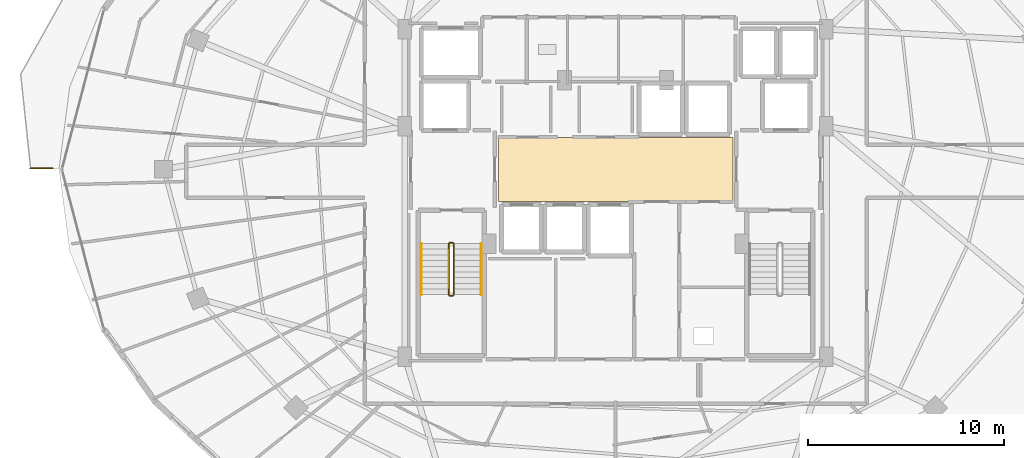
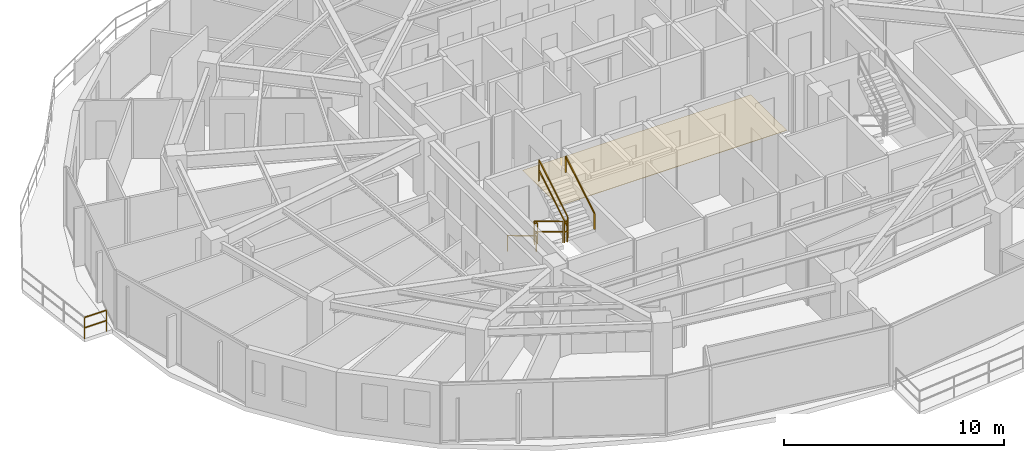
# One storey, part 30 of 33: 7 railings, 1 covering.
"""IFC4 building model written with IfcOpenShell, lengths in metres."""

from ifc_helpers import new_model, si_unit, direction, frame, origin, origin_2d, place, context, subcontext, project, spatial, polyline, rectangle, outline, extrude, material, layer, layer_set, type_object, element, save


model = new_model("IFC4")

# Units and contexts
model_context = context("Model", 3, precision=1e-05, world=origin(), true_north=direction((0.0, 1.0)))
body_context = subcontext(model_context, "Body", "Model", "MODEL_VIEW")
ifc_project = project(units=[si_unit("LENGTHUNIT", "METRE"), si_unit("AREAUNIT", "SQUARE_METRE"), si_unit("VOLUMEUNIT", "CUBIC_METRE"), si_unit("PLANEANGLEUNIT", "RADIAN"), si_unit("MASSUNIT", "GRAM", prefix="KILO")], contexts=[model_context])

# Site, building, storey
site_placement = place(None, origin())
site = spatial("IfcSite", under=ifc_project, at=site_placement, CompositionType="ELEMENT")
building_placement = place(site_placement, origin())
building = spatial("IfcBuilding", under=site, at=building_placement, Name="Vorneva Point Tower", CompositionType="ELEMENT")
storey_placement = place(building_placement, frame((0.0, 0.0, 189.60009765625)))
storey = spatial("IfcBuildingStorey", under=building, at=storey_placement, Name="L51", CompositionType="ELEMENT", Elevation=189.60009765625)

# Covering
ifc_material_1 = material(Name="Acoustic wool hospitality carpet", Category="textile")
ifc_layer = layer(ifc_material_1, 0.01806640625)
ifc_layer_set = layer_set([ifc_layer], Name="Acoustic wool hospitality carpet")
covering_type = type_object("IfcCoveringType", Name="COV-FLR-CRP", PredefinedType="FLOORING", material=ifc_layer_set)
covering_placement = place(storey_placement, frame((0.0, 0.0, -0.005126953125)))
element("IfcCovering", 1, at=covering_placement, inside=storey, type_object=covering_type, Name="L51 Lift Lobby Floor Finish", PredefinedType="FLOORING", context=body_context, shape_type="SweptSolid", body=[
    extrude(outline(polyline([(32.02001953125, 24.3701171875), (43.97998046875, 24.3701171875), (43.97998046875, 27.6298828125), (32.02001953125, 27.6298828125), (32.02001953125, 24.3701171875)])), origin(), (0.0, 0.0, 1.0), 0.02294921875),
])

# Railings
ifc_material_2 = material(Name="Pale anodised aluminium", Category="aluminium")
railing_type_1 = type_object("IfcRailingType", Name="RL-BAL-1200", PredefinedType="BALUSTRADE", material=ifc_material_2)
railing_1_placement = place(storey_placement, frame((8.15966796875, 26.050048828125, 0.0)))
element("IfcRailing", 2, at=railing_1_placement, inside=storey, type_object=railing_type_1, Name="L51 Wave Balcony Balustrade NW.1", PredefinedType="BALUSTRADE", context=body_context, shape_type="SweptSolid", body=[
    extrude(rectangle(XDim=0.048095703125, YDim=0.048095703125, at=origin_2d()), frame((0.0, 0.0, 1.17578125), z_axis=(1.0, 0.0, 0.0), x_axis=(0.0, 1.0, 0.0)), (0.0, 0.0, 1.0), 1.14404296875),
    extrude(rectangle(XDim=0.048095703125, YDim=0.048095703125, at=origin_2d()), frame((0.0, 0.0, 0.60009765625), z_axis=(1.0, 0.0, 0.0), x_axis=(0.0, 1.0, 0.0)), (0.0, 0.0, 1.0), 1.14404296875),
    extrude(rectangle(XDim=0.0419921875, YDim=0.0419921875, at=origin_2d()), origin(), (0.0, 0.0, 1.0), 1.15185546875),
    extrude(rectangle(XDim=0.0419921875, YDim=0.0419921875, at=origin_2d()), frame((1.14404296875, 0.0, 0.0)), (0.0, 0.0, 1.0), 1.15185546875),
])
ifc_material_3 = material(Name="Brushed stainless steel S304", Category="steel")
railing_type_2 = type_object("IfcRailingType", Name="RL-HND-920", PredefinedType="HANDRAIL", material=ifc_material_3)
railing_2_placement = place(storey_placement, frame((28.10009765625, 22.219970703125, 0.1748046875)))
element("IfcRailing", 3, at=railing_2_placement, inside=storey, type_object=railing_type_2, Name="L51 ST1 stair handrail 1", PredefinedType="HANDRAIL", context=body_context, shape_type="SweptSolid", body=[
    extrude(rectangle(XDim=0.048095703125, YDim=0.048095703125, at=origin_2d()), frame((0.0, 0.0, 0.8759765625), z_axis=(0.0, -0.856147343639, 0.516731773728), x_axis=(1.0, 0.0, 0.0)), (0.0, 0.0, 1.0), 3.04833984375),
    extrude(rectangle(XDim=0.0419921875, YDim=0.0419921875, at=origin_2d()), origin(), (0.0, 0.0, 1.0), 0.851806640625),
    extrude(rectangle(XDim=0.0419921875, YDim=0.0419921875, at=origin_2d()), frame((0.0, -2.60986328125, 1.5751953125)), (0.0, 0.0, 1.0), 0.851806640625),
])
railing_3_placement = place(storey_placement, frame((31.14990234375, 19.610107421875, 1.9248046875)))
element("IfcRailing", 4, at=railing_3_placement, inside=storey, type_object=railing_type_2, Name="L51 ST1 stair handrail 2", PredefinedType="HANDRAIL", context=body_context, shape_type="SweptSolid", body=[
    extrude(rectangle(XDim=0.048095703125, YDim=0.048095703125, at=origin_2d()), frame((0.0, 0.0, 0.8759765625), z_axis=(0.0, 0.856147343639, 0.516731773728), x_axis=(-1.0, 0.0, 0.0)), (0.0, 0.0, 1.0), 3.04833984375),
    extrude(rectangle(XDim=0.0419921875, YDim=0.0419921875, at=origin_2d()), origin(), (0.0, 0.0, 1.0), 0.851806640625),
    extrude(rectangle(XDim=0.0419921875, YDim=0.0419921875, at=origin_2d()), frame((0.0, 2.60986328125, 1.5751953125)), (0.0, 0.0, 1.0), 0.851806640625),
])
railing_type_3 = type_object("IfcRailingType", Name="RL-STG-1100", PredefinedType="GUARDRAIL", material=ifc_material_3)
railing_4_placement = place(storey_placement, frame((29.5, 22.219970703125, 0.1748046875)))
element("IfcRailing", 5, at=railing_4_placement, inside=storey, type_object=railing_type_3, Name="L51 ST1 stair guard 1", PredefinedType="GUARDRAIL", context=body_context, shape_type="SweptSolid", body=[
    extrude(rectangle(XDim=0.048095703125, YDim=0.048095703125, at=origin_2d()), frame((0.0, 0.0, 1.17578125), z_axis=(0.0, -0.856147343639, 0.516731773728), x_axis=(1.0, 0.0, 0.0)), (0.0, 0.0, 1.0), 3.04833984375),
    extrude(rectangle(XDim=0.048095703125, YDim=0.048095703125, at=origin_2d()), frame((0.0, 0.0, 0.60009765625), z_axis=(0.0, -0.856147343639, 0.516731773728), x_axis=(1.0, 0.0, 0.0)), (0.0, 0.0, 1.0), 3.04833984375),
    extrude(rectangle(XDim=0.0419921875, YDim=0.0419921875, at=origin_2d()), origin(), (0.0, 0.0, 1.0), 1.15185546875),
    extrude(rectangle(XDim=0.0419921875, YDim=0.0419921875, at=origin_2d()), frame((0.0, -2.60986328125, 1.5751953125)), (0.0, 0.0, 1.0), 1.15185546875),
])
railing_5_placement = place(storey_placement, frame((29.550048828125, 19.56005859375, 1.75)))
element("IfcRailing", 6, at=railing_5_placement, inside=storey, type_object=railing_type_3, Name="L51 ST1 stair guard 2", PredefinedType="GUARDRAIL", context=body_context, shape_type="SweptSolid", body=[
    extrude(rectangle(XDim=0.048095703125, YDim=0.048095703125, at=origin_2d()), frame((0.0, 0.0, 1.17578125), z_axis=(1.0, 0.0, 0.0), x_axis=(0.0, 1.0, 0.0)), (0.0, 0.0, 1.0), 0.14990234375),
    extrude(rectangle(XDim=0.048095703125, YDim=0.048095703125, at=origin_2d()), frame((0.0, 0.0, 0.60009765625), z_axis=(1.0, 0.0, 0.0), x_axis=(0.0, 1.0, 0.0)), (0.0, 0.0, 1.0), 0.14990234375),
    extrude(rectangle(XDim=0.0419921875, YDim=0.0419921875, at=origin_2d()), origin(), (0.0, 0.0, 1.0), 1.15185546875),
    extrude(rectangle(XDim=0.0419921875, YDim=0.0419921875, at=origin_2d()), frame((0.14990234375, 0.0, 0.0)), (0.0, 0.0, 1.0), 1.15185546875),
])
railing_6_placement = place(storey_placement, frame((29.75, 19.610107421875, 1.9248046875)))
element("IfcRailing", 7, at=railing_6_placement, inside=storey, type_object=railing_type_3, Name="L51 ST1 stair guard 3", PredefinedType="GUARDRAIL", context=body_context, shape_type="SweptSolid", body=[
    extrude(rectangle(XDim=0.048095703125, YDim=0.048095703125, at=origin_2d()), frame((0.0, 0.0, 1.17578125), z_axis=(0.0, 0.856147343639, 0.516731773728), x_axis=(-1.0, 0.0, 0.0)), (0.0, 0.0, 1.0), 3.04833984375),
    extrude(rectangle(XDim=0.048095703125, YDim=0.048095703125, at=origin_2d()), frame((0.0, 0.0, 0.60009765625), z_axis=(0.0, 0.856147343639, 0.516731773728), x_axis=(-1.0, 0.0, 0.0)), (0.0, 0.0, 1.0), 3.04833984375),
    extrude(rectangle(XDim=0.0419921875, YDim=0.0419921875, at=origin_2d()), origin(), (0.0, 0.0, 1.0), 1.15185546875),
    extrude(rectangle(XDim=0.0419921875, YDim=0.0419921875, at=origin_2d()), frame((0.0, 2.60986328125, 1.5751953125)), (0.0, 0.0, 1.0), 1.15185546875),
])
railing_7_placement = place(storey_placement, frame((29.550048828125, 22.27001953125, 0.0)))
element("IfcRailing", 8, at=railing_7_placement, inside=storey, type_object=railing_type_3, Name="L51 ST1 stair guard 4", PredefinedType="GUARDRAIL", context=body_context, shape_type="SweptSolid", body=[
    extrude(rectangle(XDim=0.048095703125, YDim=0.048095703125, at=origin_2d()), frame((0.0, 0.0, 1.17578125), z_axis=(1.0, 0.0, 0.0), x_axis=(0.0, 1.0, 0.0)), (0.0, 0.0, 1.0), 0.14990234375),
    extrude(rectangle(XDim=0.048095703125, YDim=0.048095703125, at=origin_2d()), frame((0.0, 0.0, 0.60009765625), z_axis=(1.0, 0.0, 0.0), x_axis=(0.0, 1.0, 0.0)), (0.0, 0.0, 1.0), 0.14990234375),
    extrude(rectangle(XDim=0.0419921875, YDim=0.0419921875, at=origin_2d()), origin(), (0.0, 0.0, 1.0), 1.15185546875),
    extrude(rectangle(XDim=0.0419921875, YDim=0.0419921875, at=origin_2d()), frame((0.14990234375, 0.0, 0.0)), (0.0, 0.0, 1.0), 1.15185546875),
])

save(model, "model.ifc")
